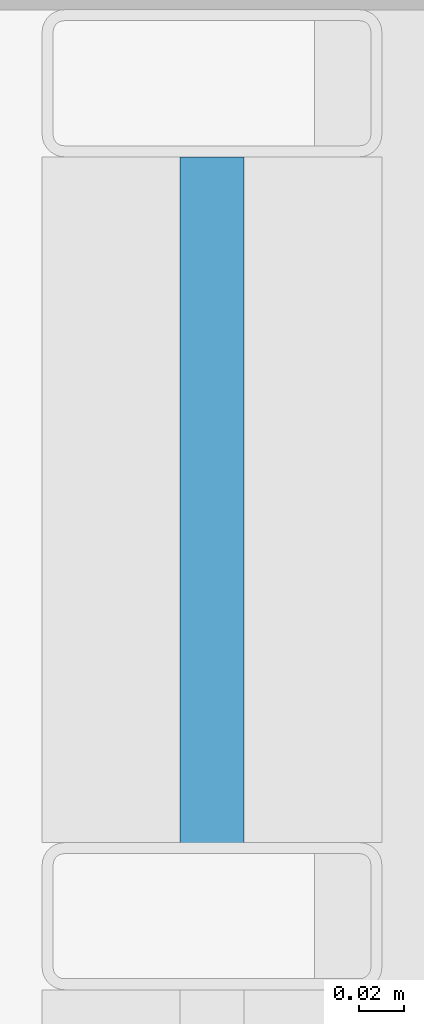
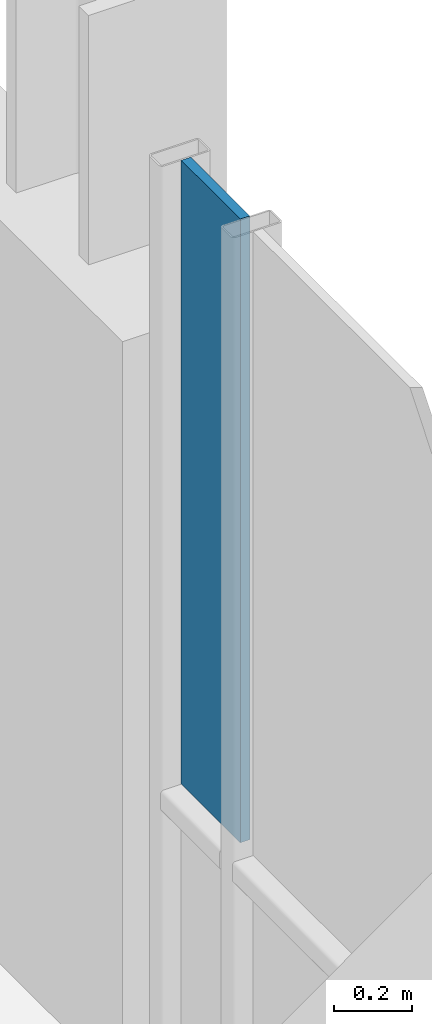
# One storey, part 30 of 41: 1 plate, 1 element without a shape of its own.
"""IFC4 building model written with IfcOpenShell, lengths in metres."""

import ifcopenshell
import ifcopenshell.guid

model = None  # the IFC model being written
_history = None  # IfcOwnerHistory: only IFC2X3 demands one
_inside = {}  # id of a spatial element -> (the spatial element, [elements in it])
_under = {}  # id of a project, library or spatial element -> (it, [spatial elements below it])
_declared = {}  # id of a project -> (the project, [libraries it declares])
_typed = {}  # id of a type object -> (the type object, [elements of that type])
_made_of = {}  # id of a material, layer set ... -> (it, [elements and type objects made of it])


def new_model(schema):
    """Start an empty IFC model of exactly this schema.

    Asked for "IFC4X3", IfcOpenShell would pick the latest addendum, in which some entities
    have other attributes; the version numbers below select the first issue.
    IFC2X3 requires an IfcOwnerHistory on every rooted entity: one is made here for all.
    """
    global model, _history
    if schema == "IFC4X3":
        model = ifcopenshell.file(schema_version=(4, 3, 0, 0))
    else:
        model = ifcopenshell.file(schema=schema)
    _inside.clear()
    _under.clear()
    _declared.clear()
    _typed.clear()
    _made_of.clear()
    _history = None
    if model.schema == "IFC2X3":
        org = make("IfcOrganization", Name="unknown")
        user = make(
            "IfcPersonAndOrganization",
            ThePerson=make("IfcPerson", FamilyName="unknown"),
            TheOrganization=org,
        )
        app = make(
            "IfcApplication",
            ApplicationDeveloper=org,
            Version="unknown",
            ApplicationFullName="unknown",
            ApplicationIdentifier="unknown",
        )
        _history = make(
            "IfcOwnerHistory",
            OwningUser=user,
            OwningApplication=app,
            ChangeAction="ADDED",
            CreationDate=0,
        )
    return model


def make(cls, **values):
    """One entity of the class cls with the attributes given. An attribute that is None is left unset."""
    return model.create_entity(
        cls, **{name: value for name, value in values.items() if value is not None}
    )


def rooted(cls, **values):
    """An entity with a GlobalId (a new one), such as an element, a storey or a relation."""
    return make(cls, GlobalId=ifcopenshell.guid.new(), OwnerHistory=_history, **values)


def si_unit(unit_type, name, prefix=None):
    """IfcSIUnit, for example si_unit("LENGTHUNIT", "METRE", prefix="MILLI")."""
    return make("IfcSIUnit", UnitType=unit_type, Prefix=prefix, Name=name)


def assignment(units):
    """IfcUnitAssignment: the units of a project."""
    return None if units is None else make("IfcUnitAssignment", Units=units)


def point(xyz):
    """IfcCartesianPoint."""
    return None if xyz is None else make("IfcCartesianPoint", Coordinates=xyz)


def direction(xyz):
    """IfcDirection."""
    return None if xyz is None else make("IfcDirection", DirectionRatios=xyz)


def frame(location, z_axis=None, x_axis=None):
    """IfcAxis2Placement3D, a coordinate frame: its origin and axes. An axis left out is left unset."""
    return make(
        "IfcAxis2Placement3D",
        Location=point(location),
        Axis=direction(z_axis),
        RefDirection=direction(x_axis),
    )


def frame_2d(location, x_axis=None):
    """IfcAxis2Placement2D, a coordinate frame in the plane: its origin and x axis."""
    return make(
        "IfcAxis2Placement2D", Location=point(location), RefDirection=direction(x_axis)
    )


def origin():
    """The frame at (0, 0, 0) with its axes left unset."""
    return frame((0.0, 0.0, 0.0))


def origin_2d():
    """The frame at (0, 0) in the plane with its x axis left unset."""
    return frame_2d((0.0, 0.0))


def place(relative_to, where):
    """IfcLocalPlacement: puts the frame where relative to a parent placement (None: the world)."""
    return make(
        "IfcLocalPlacement", PlacementRelTo=relative_to, RelativePlacement=where
    )


def context(
    kind, dimensions, precision=None, world=None, true_north=None, identifier=None
):
    """IfcGeometricRepresentationContext, for example the 3D "Model" context."""
    return make(
        "IfcGeometricRepresentationContext",
        ContextIdentifier=identifier,
        ContextType=kind,
        CoordinateSpaceDimension=dimensions,
        Precision=precision,
        WorldCoordinateSystem=world,
        TrueNorth=true_north,
    )


def subcontext(parent, identifier, kind, view, scale=None):
    """IfcGeometricRepresentationSubContext, for example "Body" below "Model"."""
    return make(
        "IfcGeometricRepresentationSubContext",
        ContextIdentifier=identifier,
        ContextType=kind,
        ParentContext=parent,
        TargetScale=scale,
        TargetView=view,
    )


def project(units=None, contexts=None):
    """IfcProject with its units and contexts."""
    return rooted(
        "IfcProject",
        Name="project",
        RepresentationContexts=contexts,
        UnitsInContext=assignment(units),
    )


def spatial(cls, under=None, at=None, **own):
    """A site, building, storey or space (cls), placed at a placement, below another one or the project."""
    s = rooted(cls, ObjectPlacement=at, **own)
    if under is not None:
        _under.setdefault(under.id(), (under, []))[1].append(s)
    return s


def profile(cls, at=None, kind="AREA", **sizes):
    """A parametric profile (cls). Its sizes go by their IFC names, for example OverallWidth=200.0."""
    return make(cls, ProfileType=kind, Position=at, **sizes)


def rectangle(**sizes):
    """IfcRectangleProfileDef."""
    return profile("IfcRectangleProfileDef", **sizes)


def extrude(swept, where, along, depth):
    """IfcExtrudedAreaSolid: the profile swept, set in the frame where, extruded along a direction by depth."""
    return make(
        "IfcExtrudedAreaSolid",
        SweptArea=swept,
        Position=where,
        ExtrudedDirection=direction(along),
        Depth=depth,
    )


def shape(context_of_items, identifier, shape_type, items):
    """IfcShapeRepresentation: the items that make up one representation, for example the "Body"."""
    return make(
        "IfcShapeRepresentation",
        ContextOfItems=context_of_items,
        RepresentationIdentifier=identifier,
        RepresentationType=shape_type,
        Items=items,
    )


def material(Name=None, Category=None):
    """IfcMaterial."""
    return make("IfcMaterial", Name=Name, Category=Category)


def layer(
    of_material, thickness, ventilated=None, Name=None, Category=None, Priority=None
):
    """IfcMaterialLayer: one layer of a wall or slab, of a material (None: an air gap)."""
    return make(
        "IfcMaterialLayer",
        Material=of_material,
        LayerThickness=thickness,
        IsVentilated=ventilated,
        Name=Name,
        Category=Category,
        Priority=Priority,
    )


def layer_set(layers, Name=None):
    """IfcMaterialLayerSet."""
    return make("IfcMaterialLayerSet", MaterialLayers=layers, LayerSetName=Name)


def made_of(thing, what):
    """Note that an element or type object is made of a material, layer set ...; save() writes the relation."""
    if what is not None:
        _made_of.setdefault(what.id(), (what, []))[1].append(thing)
    return thing


def type_object(cls, material=None, **own):
    """A type object (cls), such as IfcWallType, which elements share."""
    return made_of(rooted(cls, **own), material)


def element(
    cls,
    number,
    at=None,
    inside=None,
    cuts=None,
    type_object=None,
    material=None,
    context=None,
    identifier="Body",
    shape_type=None,
    held_by="IfcProductDefinitionShape",
    body=None,
    shapes=None,
    **own,
):
    """One element of the class cls, such as IfcWall. Its Tag is "e" and its number.

    at: its placement. inside: the storey or other place that contains it. cuts: it is an
    opening in that element (IfcRelVoidsElement). A single representation is given by context,
    identifier, shape_type and body (its items); several are given by shapes. held_by: the class
    of the entity that holds the representations. save() writes the other relations.
    """
    e = rooted(cls, Tag="e%d" % number, ObjectPlacement=at, **own)
    if body is not None:
        shapes = [shape(context, identifier, shape_type, body)]
    if shapes is not None:
        e.Representation = make(held_by, Representations=shapes)
    if inside is not None:
        _inside.setdefault(inside.id(), (inside, []))[1].append(e)
    if cuts is not None:
        rooted(
            "IfcRelVoidsElement", RelatingBuildingElement=cuts, RelatedOpeningElement=e
        )
    if type_object is not None:
        _typed.setdefault(type_object.id(), (type_object, []))[1].append(e)
    return made_of(e, material)


def aggregate(whole, parts):
    """IfcRelAggregates: a whole, such as a stair, and the parts it consists of."""
    return rooted("IfcRelAggregates", RelatingObject=whole, RelatedObjects=parts)


def save(model, path):
    """Write the relations noted so far, then the file.

    IfcRelAggregates (storeys below a building ...), IfcRelContainedInSpatialStructure (elements
    in a storey), IfcRelDefinesByType, IfcRelAssociatesMaterial and IfcRelDeclares: one each for
    every whole, place, type object, material and project.
    """
    for whole, parts in _under.values():
        aggregate(whole, parts)
    for where, things in _inside.values():
        rooted(
            "IfcRelContainedInSpatialStructure",
            RelatedElements=things,
            RelatingStructure=where,
        )
    for kind, things in _typed.values():
        rooted("IfcRelDefinesByType", RelatedObjects=things, RelatingType=kind)
    for what, things in _made_of.values():
        rooted("IfcRelAssociatesMaterial", RelatedObjects=things, RelatingMaterial=what)
    for by, libraries in _declared.values():
        rooted("IfcRelDeclares", RelatingContext=by, RelatedDefinitions=libraries)
    model.write(path)


model = new_model("IFC4")

# Units and contexts
model_context = context("Model", 3, precision=1e-05, world=origin(), true_north=direction((0.0, 1.0)))
body_context = subcontext(model_context, "Body", "Model", "MODEL_VIEW")
ifc_project = project(units=[si_unit("LENGTHUNIT", "METRE"), si_unit("AREAUNIT", "SQUARE_METRE"), si_unit("VOLUMEUNIT", "CUBIC_METRE"), si_unit("PLANEANGLEUNIT", "RADIAN"), si_unit("MASSUNIT", "GRAM", prefix="KILO")], contexts=[model_context])

# Site, building, storey
site_placement = place(None, origin())
site = spatial("IfcSite", under=ifc_project, at=site_placement, CompositionType="ELEMENT")
building_placement = place(site_placement, origin())
building = spatial("IfcBuilding", under=site, at=building_placement, Name="Brevholm Reach", CompositionType="ELEMENT")
storey_placement = place(building_placement, frame((0.0, 0.0, 151.10009765625)))
storey = spatial("IfcBuildingStorey", under=building, at=storey_placement, Name="L45", CompositionType="ELEMENT", Elevation=151.10009765625)

# Curtain wall, plate
ifc_material_1 = material(Name="Dark Anodised Aluminium 6063-T6 and Solar-Control Glass", Category="aluminium")
ifc_layer_1 = layer(ifc_material_1, 0.14990234375)
ifc_layer_set_1 = layer_set([ifc_layer_1], Name="Dark Anodised Aluminium 6063-T6 and Solar-Control Glass")
curtain_wall_type = type_object("IfcCurtainWallType", Name="CW-01", PredefinedType="NOTDEFINED", material=ifc_layer_set_1)
curtain_wall_placement = place(storey_placement, origin())
curtain_wall = element("IfcCurtainWall", 1, at=curtain_wall_placement, inside=storey, type_object=curtain_wall_type, Name="L45 Curtain Wall CW-01", PredefinedType="NOTDEFINED")
ifc_material_2 = material(Name="Dark Solar-Control Double-Glazed IGU Glass", Category="glass")
ifc_layer_2 = layer(ifc_material_2, 0.028076171875)
ifc_layer_set_2 = layer_set([ifc_layer_2], Name="Dark Solar-Control Double-Glazed IGU Glass")
plate_type = type_object("IfcPlateType", Name="CWP-GLZ-28", PredefinedType="CURTAIN_PANEL", material=ifc_layer_set_2)
plate_placement = place(storey_placement, frame((59.85009765625, 22.733642578125, 0.9326171875), z_axis=(0.0, 0.0, 1.0), x_axis=(0.0, 1.0, 0.0)))
plate = element("IfcPlate", 2, at=plate_placement, type_object=plate_type, Name="CP-01 Glazing Panel 5.2", PredefinedType="CURTAIN_PANEL", context=body_context, shape_type="SweptSolid", body=[
    extrude(rectangle(XDim=0.302490234375, YDim=0.028076171875, at=origin_2d()), origin(), (0.0, 0.0, 1.0), 1.947509765625),
])
aggregate(curtain_wall, [plate])

save(model, "model.ifc")
